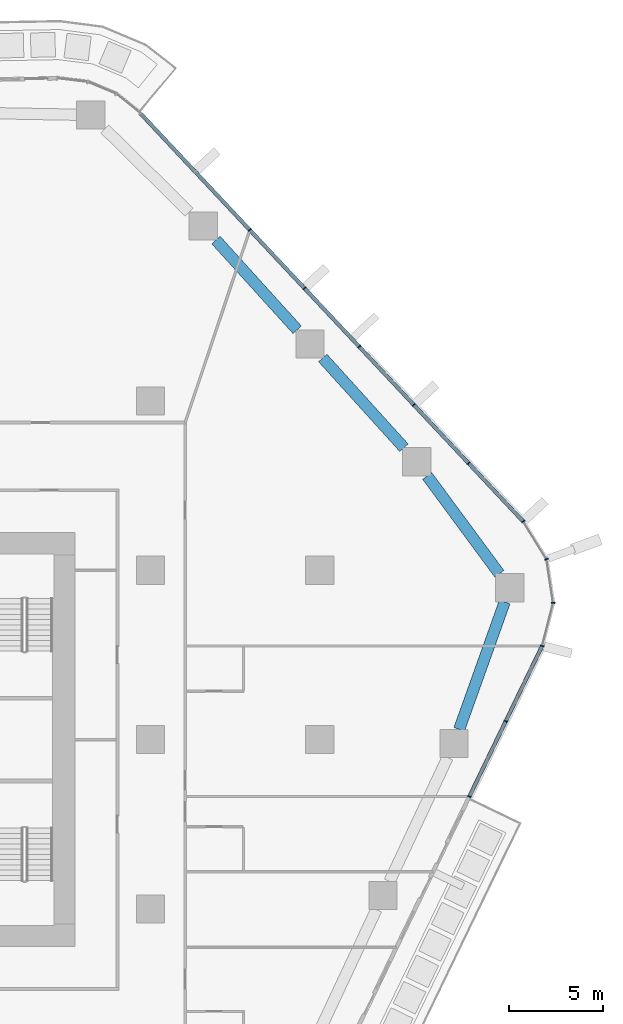
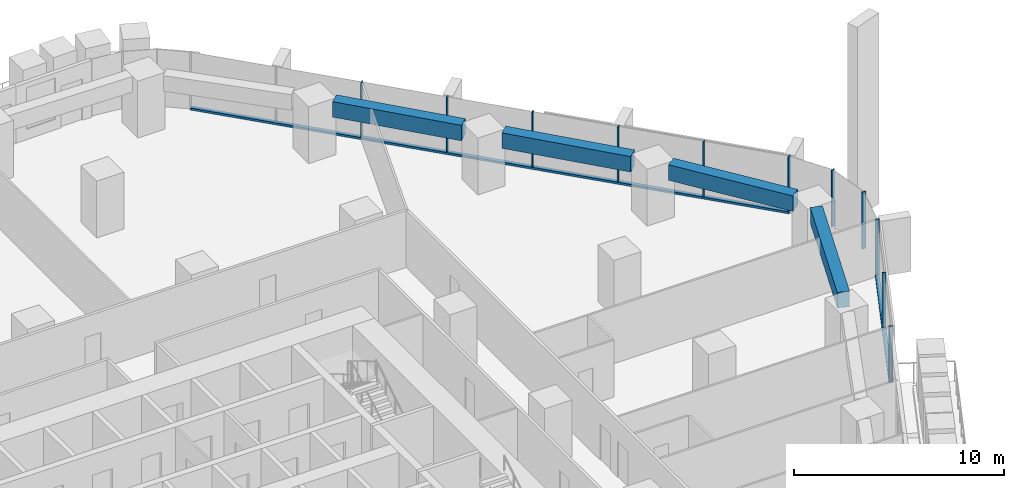
# One storey, part 7 of 24: 13 members, 4 beams, 3 elements without a shape of their own.
"""IFC4 building model written with IfcOpenShell, lengths in metres."""

from ifc_helpers import new_model, si_unit, direction, frame, origin, origin_2d, place, context, subcontext, project, spatial, rectangle, extrude, material, layer, layer_set, material_profile, profile_set, type_object, element, aggregate, save


model = new_model("IFC4")

# Units and contexts
model_context = context("Model", 3, precision=1e-05, world=origin(), true_north=direction((0.0, 1.0)))
body_context = subcontext(model_context, "Body", "Model", "MODEL_VIEW")
ifc_project = project(units=[si_unit("LENGTHUNIT", "METRE"), si_unit("AREAUNIT", "SQUARE_METRE"), si_unit("VOLUMEUNIT", "CUBIC_METRE"), si_unit("PLANEANGLEUNIT", "RADIAN"), si_unit("MASSUNIT", "GRAM", prefix="KILO")], contexts=[model_context])

# Site, building, storey
site_placement = place(None, origin())
site = spatial("IfcSite", under=ifc_project, at=site_placement, CompositionType="ELEMENT")
building_placement = place(site_placement, origin())
building = spatial("IfcBuilding", under=site, at=building_placement, Name="Dongbaek Canopy Tower", CompositionType="ELEMENT")
storey_placement = place(building_placement, frame((0.0, 0.0, 44.0)))
storey = spatial("IfcBuildingStorey", under=building, at=storey_placement, Name="L06", CompositionType="ELEMENT", Elevation=44.0)

# Curtain wall, members
ifc_material_1 = material(Name="Aluminium 6063-T6 pale anodised", Category="aluminium")
ifc_layer = layer(ifc_material_1, 0.199951171875)
ifc_layer_set = layer_set([ifc_layer], Name="CW-1 unitised tower curtain wall")
curtain_wall_type = type_object("IfcCurtainWallType", Name="CW-1 unitised tower curtain wall", PredefinedType="NOTDEFINED", material=ifc_layer_set)
curtain_wall_1_placement = place(storey_placement, origin())
curtain_wall_1 = element("IfcCurtainWall", 1, at=curtain_wall_1_placement, inside=storey, type_object=curtain_wall_type, Name="CW-1 curtain wall K0.1", PredefinedType="NOTDEFINED")
ifc_material_2 = material(Name="Aluminium 6063-T6 pale anodised", Category="aluminium")
ifc_material_profile_1 = material_profile(ifc_material_2, rectangle(XDim=0.199951171875, YDim=0.06005859375, at=origin_2d()), Name="CW-1 mullion 60 x 200")
ifc_profile_set_1 = profile_set([ifc_material_profile_1], Name="Aluminium 6063-T6 pale anodised")
member_type_1 = type_object("IfcMemberType", Name="CW-1 mullion 60 x 200", PredefinedType="MULLION", material=ifc_profile_set_1)
member_1_placement = place(storey_placement, frame((38.8212890625, 4.977294921875, 0.0), z_axis=(0.0, 0.0, 1.0), x_axis=(0.968988452796, -0.247106006298, 0.0)))
member_1 = element("IfcMember", 2, at=member_1_placement, type_object=member_type_1, Name="CW-1 mullion K0.1.1", PredefinedType="MULLION", context=body_context, shape_type="SweptSolid", body=[
    extrude(rectangle(XDim=0.199951171875, YDim=0.06005859375, at=origin_2d()), origin(), (0.0, 0.0, 1.0), 3.300048828125),
])
member_2_placement = place(storey_placement, frame((39.40478515625, 7.264892578125, 0.0), z_axis=(0.0, 0.0, 1.0), x_axis=(0.998796081785, -0.049054938691, 0.0)))
member_2 = element("IfcMember", 3, at=member_2_placement, type_object=member_type_1, Name="CW-1 mullion K0.1.2", PredefinedType="MULLION", context=body_context, shape_type="SweptSolid", body=[
    extrude(rectangle(XDim=0.199951171875, YDim=0.06005859375, at=origin_2d()), origin(), (0.0, 0.0, 1.0), 3.300048828125),
])
member_3_placement = place(storey_placement, frame((39.050048828125, 9.588623046875, 0.0), z_axis=(0.0, 0.0, 1.0), x_axis=(0.938629484797, 0.344927079641, 0.0)))
member_3 = element("IfcMember", 4, at=member_3_placement, type_object=member_type_1, Name="CW-1 mullion K0.1.3", PredefinedType="MULLION", context=body_context, shape_type="SweptSolid", body=[
    extrude(rectangle(XDim=0.199951171875, YDim=0.06005859375, at=origin_2d()), origin(), (0.0, 0.0, 1.0), 3.300048828125),
])
member_4_placement = place(storey_placement, frame((37.810302734375, 11.597900390625, 0.0), z_axis=(0.0, 0.0, 1.0), x_axis=(0.851068704679, 0.525054339964, 0.0)))
member_4 = element("IfcMember", 5, at=member_4_placement, type_object=member_type_1, Name="CW-1 mullion K0.1.4", PredefinedType="MULLION", context=body_context, shape_type="SweptSolid", body=[
    extrude(rectangle(XDim=0.199951171875, YDim=0.06005859375, at=origin_2d()), origin(), (0.0, 0.0, 1.0), 3.300048828125),
])
aggregate(curtain_wall_1, [member_1, member_2, member_3, member_4])

curtain_wall_2_placement = place(storey_placement, origin())
curtain_wall_2 = element("IfcCurtainWall", 6, at=curtain_wall_2_placement, inside=storey, type_object=curtain_wall_type, Name="CW-1 curtain wall F0.1", PredefinedType="NOTDEFINED")
member_5_placement = place(storey_placement, frame((34.910400390625, 14.689453125, 0.1201171875), z_axis=(0.0, 0.0, 1.0), x_axis=(0.729369243815, 0.684120242484, 0.0)))
member_5 = element("IfcMember", 7, at=member_5_placement, type_object=member_type_1, Name="CW-1 mullion F0.1.2", PredefinedType="MULLION", context=body_context, shape_type="SweptSolid", body=[
    extrude(rectangle(XDim=0.199951171875, YDim=0.06005859375, at=origin_2d()), origin(), (0.0, 0.0, 1.0), 3.179931640625),
])
member_6_placement = place(storey_placement, frame((32.003662109375, 17.78857421875, 0.1201171875), z_axis=(0.0, 0.0, 1.0), x_axis=(0.729369243815, 0.684120242484, 0.0)))
member_6 = element("IfcMember", 8, at=member_6_placement, type_object=member_type_1, Name="CW-1 mullion F0.1.3", PredefinedType="MULLION", context=body_context, shape_type="SweptSolid", body=[
    extrude(rectangle(XDim=0.199951171875, YDim=0.06005859375, at=origin_2d()), origin(), (0.0, 0.0, 1.0), 3.179931640625),
])
member_7_placement = place(storey_placement, frame((29.096923828125, 20.8876953125, 0.1201171875), z_axis=(0.0, 0.0, 1.0), x_axis=(0.729369243815, 0.684120242484, 0.0)))
member_7 = element("IfcMember", 9, at=member_7_placement, type_object=member_type_1, Name="CW-1 mullion F0.1.4", PredefinedType="MULLION", context=body_context, shape_type="SweptSolid", body=[
    extrude(rectangle(XDim=0.199951171875, YDim=0.06005859375, at=origin_2d()), origin(), (0.0, 0.0, 1.0), 3.179931640625),
])
member_8_placement = place(storey_placement, frame((26.190185546875, 23.986572265625, 0.1201171875), z_axis=(0.0, 0.0, 1.0), x_axis=(0.729369243815, 0.684120242484, 0.0)))
member_8 = element("IfcMember", 10, at=member_8_placement, type_object=member_type_1, Name="CW-1 mullion F0.1.5", PredefinedType="MULLION", context=body_context, shape_type="SweptSolid", body=[
    extrude(rectangle(XDim=0.199951171875, YDim=0.06005859375, at=origin_2d()), origin(), (0.0, 0.0, 1.0), 3.179931640625),
])
member_9_placement = place(storey_placement, frame((23.283447265625, 27.085693359375, 0.1201171875), z_axis=(0.0, 0.0, 1.0), x_axis=(0.729369243815, 0.684120242484, 0.0)))
member_9 = element("IfcMember", 11, at=member_9_placement, type_object=member_type_1, Name="CW-1 mullion F0.1.6", PredefinedType="MULLION", context=body_context, shape_type="SweptSolid", body=[
    extrude(rectangle(XDim=0.199951171875, YDim=0.06005859375, at=origin_2d()), origin(), (0.0, 0.0, 1.0), 3.179931640625),
])

curtain_wall_3_placement = place(storey_placement, origin())
curtain_wall_3 = element("IfcCurtainWall", 12, at=curtain_wall_3_placement, inside=storey, type_object=curtain_wall_type, Name="CW-1 curtain wall F5.1", PredefinedType="NOTDEFINED")
member_10_placement = place(storey_placement, frame((34.953857421875, -3.023193359375, 0.1201171875), z_axis=(0.0, 0.0, 1.0), x_axis=(0.900312061201, -0.435244979817, 0.0)))
member_10 = element("IfcMember", 13, at=member_10_placement, type_object=member_type_1, Name="CW-1 mullion F5.1.1", PredefinedType="MULLION", context=body_context, shape_type="SweptSolid", body=[
    extrude(rectangle(XDim=0.199951171875, YDim=0.06005859375, at=origin_2d()), origin(), (0.0, 0.0, 1.0), 3.179931640625),
])
member_11_placement = place(storey_placement, frame((36.8896484375, 0.981689453125, 0.1201171875), z_axis=(0.0, 0.0, 1.0), x_axis=(0.900312061201, -0.435244979817, 0.0)))
member_11 = element("IfcMember", 14, at=member_11_placement, type_object=member_type_1, Name="CW-1 mullion F5.1.2", PredefinedType="MULLION", context=body_context, shape_type="SweptSolid", body=[
    extrude(rectangle(XDim=0.199951171875, YDim=0.06005859375, at=origin_2d()), origin(), (0.0, 0.0, 1.0), 3.179931640625),
])

# Member
ifc_material_3 = material(Name="Aluminium 6063-T6 pale anodised", Category="aluminium")
ifc_material_profile_2 = material_profile(ifc_material_3, rectangle(XDim=0.199951171875, YDim=0.1201171875, at=origin_2d()), Name="CW-1 transom 120 x 200")
ifc_profile_set_2 = profile_set([ifc_material_profile_2], Name="Aluminium 6063-T6 pale anodised")
member_type_2 = type_object("IfcMemberType", Name="CW-1 transom 120 x 200", PredefinedType="USERDEFINED", material=ifc_profile_set_2)
member_12_placement = place(storey_placement, frame((37.810302734375, 11.597900390625, 0.06005859375), z_axis=(-0.684121423507, 0.72936813606, 0.0), x_axis=(-0.72936813606, -0.684121423507, 0.0)))
member_12 = element("IfcMember", 15, at=member_12_placement, type_object=member_type_2, Name="CW-1 transom F0.1.1", ObjectType="TRANSOM", PredefinedType="USERDEFINED", context=body_context, shape_type="SweptSolid", body=[
    extrude(rectangle(XDim=0.199951171875, YDim=0.1201171875, at=origin_2d()), origin(), (0.0, 0.0, 1.0), 29.725341796875),
])

aggregate(curtain_wall_2, [member_5, member_6, member_7, member_8, member_9, member_12])

member_13_placement = place(storey_placement, frame((34.953857421875, -3.023193359375, 0.06005859375), z_axis=(0.435216914324, 0.900325628584, 0.0), x_axis=(-0.900325628584, 0.435216914324, 0.0)))
member_13 = element("IfcMember", 16, at=member_13_placement, type_object=member_type_2, Name="CW-1 transom F5.1.1", ObjectType="TRANSOM", PredefinedType="USERDEFINED", context=body_context, shape_type="SweptSolid", body=[
    extrude(rectangle(XDim=0.199951171875, YDim=0.1201171875, at=origin_2d()), origin(), (0.0, 0.0, 1.0), 8.88623046875),
])

aggregate(curtain_wall_3, [member_10, member_11, member_13])

# Beams
ifc_material_4 = material(Name="Concrete C80", Category="concrete")
ifc_material_profile_3 = material_profile(ifc_material_4, rectangle(XDim=0.60009765625, YDim=0.89990234375, at=origin_2d()), Name="RC EDGE BEAM 600x900 C80")
ifc_profile_set_3 = profile_set([ifc_material_profile_3], Name="Concrete C80")
beam_type = type_object("IfcBeamType", Name="RC EDGE BEAM 600x900 C80", PredefinedType="BEAM", material=ifc_profile_set_3)
beam_1_placement = place(storey_placement, frame((21.484375, 26.547119140625, 2.85009765625), z_axis=(0.671288874095, -0.741195822652, 0.0), x_axis=(0.741195822652, 0.671288874095, 0.0)))
element("IfcBeam", 17, at=beam_1_placement, inside=storey, type_object=beam_type, Name="EDGEBEAM:L06:18", PredefinedType="BEAM", context=body_context, shape_type="SweptSolid", body=[
    extrude(rectangle(XDim=0.60009765625, YDim=0.89990234375, at=origin_2d()), origin(), (0.0, 0.0, 1.0), 6.432861328125),
])
beam_2_placement = place(storey_placement, frame((27.1611328125, 20.279052734375, 2.85009765625), z_axis=(0.671226318279, -0.741252473621, 0.0), x_axis=(0.741252473621, 0.671226318279, 0.0)))
element("IfcBeam", 18, at=beam_2_placement, inside=storey, type_object=beam_type, Name="EDGEBEAM:L06:19", PredefinedType="BEAM", context=body_context, shape_type="SweptSolid", body=[
    extrude(rectangle(XDim=0.60009765625, YDim=0.89990234375, at=origin_2d()), origin(), (0.0, 0.0, 1.0), 6.432373046875),
])
beam_3_placement = place(storey_placement, frame((32.71142578125, 14.010986328125, 2.85009765625), z_axis=(0.593731643304, -0.804663119411, 0.0), x_axis=(0.804663119411, 0.593731643304, 0.0)))
element("IfcBeam", 19, at=beam_3_placement, inside=storey, type_object=beam_type, Name="EDGEBEAM:L06:20", PredefinedType="BEAM", context=body_context, shape_type="SweptSolid", body=[
    extrude(rectangle(XDim=0.60009765625, YDim=0.89990234375, at=origin_2d()), origin(), (0.0, 0.0, 1.0), 6.456298828125),
])
beam_4_placement = place(storey_placement, frame((36.830078125, 7.31591796875, 2.85009765625), z_axis=(-0.336456848831, -0.941698884397, 0.0), x_axis=(0.941698884397, -0.336456848831, 0.0)))
element("IfcBeam", 20, at=beam_4_placement, inside=storey, type_object=beam_type, Name="EDGEBEAM:L06:21", PredefinedType="BEAM", context=body_context, shape_type="SweptSolid", body=[
    extrude(rectangle(XDim=0.60009765625, YDim=0.89990234375, at=origin_2d()), origin(), (0.0, 0.0, 1.0), 7.190185546875),
])

save(model, "model.ifc")
